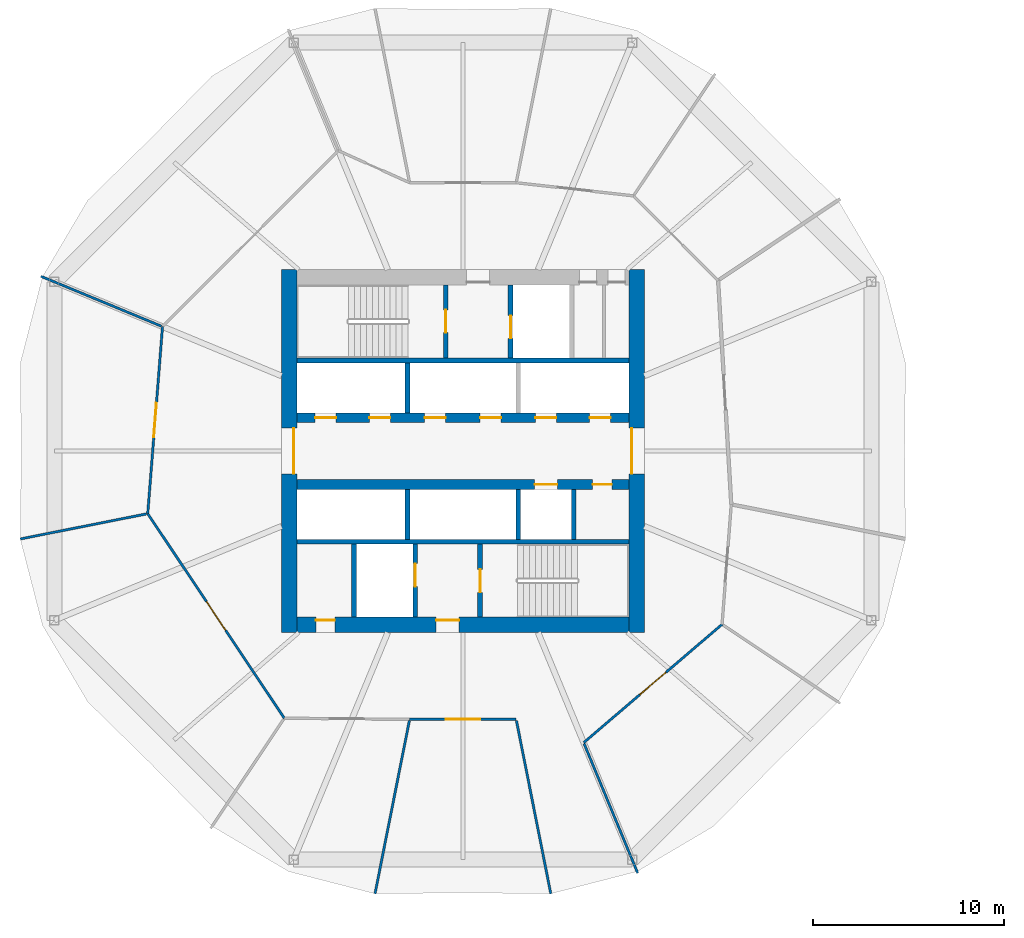
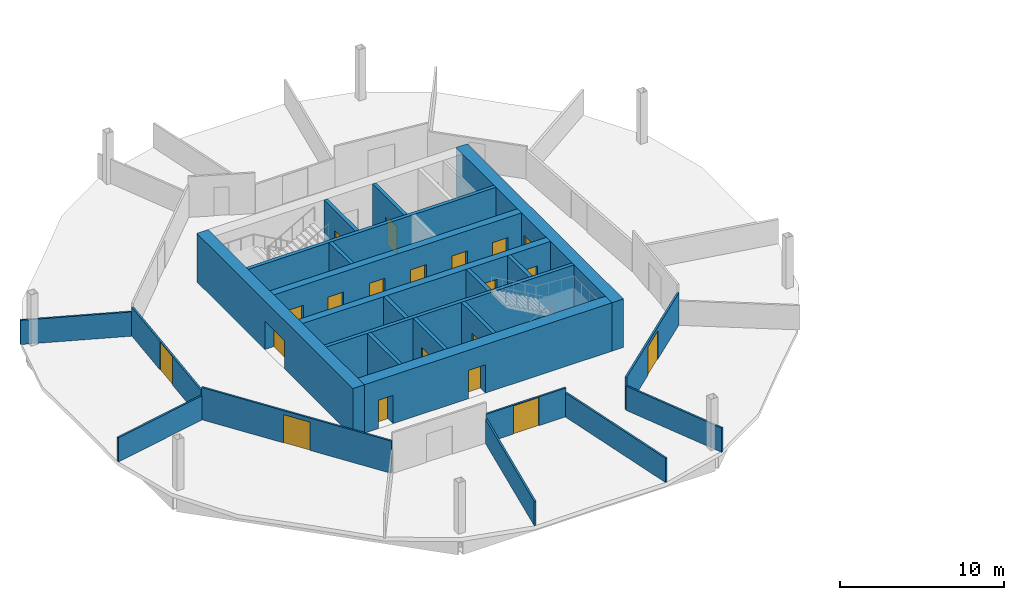
# One storey, part 4 of 9: 25 walls, 20 doors, 20 openings.
"""IFC4 building model written with IfcOpenShell, lengths in metres."""

from ifc_helpers import new_model, si_unit, direction, frame, frame_2d, origin, place, context, subcontext, project, spatial, rectangle, extrude, material, layer, layer_set, type_object, element, fill, save


model = new_model("IFC4")

# Units and contexts
model_context = context("Model", 3, precision=1e-05, world=origin(), true_north=direction((0.0, 1.0)))
body_context = subcontext(model_context, "Body", "Model", "MODEL_VIEW")
ifc_project = project(units=[si_unit("LENGTHUNIT", "METRE"), si_unit("AREAUNIT", "SQUARE_METRE"), si_unit("VOLUMEUNIT", "CUBIC_METRE"), si_unit("PLANEANGLEUNIT", "RADIAN"), si_unit("MASSUNIT", "GRAM", prefix="KILO")], contexts=[model_context])

# Site, building, storey
site_placement = place(None, origin())
site = spatial("IfcSite", under=ifc_project, at=site_placement, CompositionType="ELEMENT")
building_placement = place(site_placement, origin())
building = spatial("IfcBuilding", under=site, at=building_placement, Name="Ogive Gate Towers", CompositionType="ELEMENT")
storey_placement = place(building_placement, frame((0.0, 0.0, 111.300048828125)))
storey = spatial("IfcBuildingStorey", under=building, at=storey_placement, Name="L26", CompositionType="ELEMENT", Elevation=111.300048828125)

# Wall, openings, doors
ifc_material_1 = material(Name="Concrete C60/75", Category="concrete")
ifc_layer_1 = layer(ifc_material_1, 0.800048828125)
ifc_layer_set_1 = layer_set([ifc_layer_1], Name="Core wall 800 mm")
wall_type_1 = type_object("IfcWallType", Name="Core wall 800 mm", PredefinedType="SHEAR", material=ifc_layer_set_1)
wall_1_placement = place(storey_placement, frame((-44.699951171875, -9.10009765625, 0.0), z_axis=(0.0, 0.0, 1.0), x_axis=(1.0, 0.0, 0.0)))
wall_1 = element("IfcWall", 1, at=wall_1_placement, inside=storey, type_object=wall_type_1, Name="T1 L26 Core wall 800 mm", PredefinedType="SHEAR", context=body_context, shape_type="SweptSolid", body=[
    extrude(rectangle(XDim=17.39990234375, YDim=0.800048828125, at=frame_2d((8.699951171875, 0.0))), origin(), (0.0, 0.0, 1.0), 3.599853515625),
])
opening_1_placement = place(wall_1_placement, frame((7.300048828125, 0.0, 0.0)))
opening_1 = element("IfcOpeningElement", 2, at=opening_1_placement, cuts=wall_1, Name="Opening KD-T1-L26-16", PredefinedType="OPENING", context=body_context, shape_type="SweptSolid", body=[
    extrude(rectangle(XDim=1.199951171875, YDim=2.10009765625, at=frame_2d((0.60009765625, 1.050048828125))), frame((0.0, 0.41015625, 0.0), z_axis=(0.0, -1.0, 0.0), x_axis=(1.0, 0.0, 0.0)), (0.0, 0.0, 1.0), 0.820068359375),
])
opening_2_placement = place(wall_1_placement, frame((1.0, 0.0, 0.0)))
opening_2 = element("IfcOpeningElement", 3, at=opening_2_placement, cuts=wall_1, Name="Opening KD-T1-L26-19", PredefinedType="OPENING", context=body_context, shape_type="SweptSolid", body=[
    extrude(rectangle(XDim=1.0, YDim=2.10009765625, at=frame_2d((0.5, 1.050048828125))), frame((0.0, 0.41015625, 0.0), z_axis=(0.0, -1.0, 0.0), x_axis=(1.0, 0.0, 0.0)), (0.0, 0.0, 1.0), 0.820068359375),
])
ifc_material_2 = material(Name="Timber door", Category="wood")
door_type_1 = type_object("IfcDoorType", Name="Accessible WC door 1000 x 2100", OperationType="NOTDEFINED", PredefinedType="DOOR", material=ifc_material_2)
door_1_placement = place(opening_2_placement, origin())
door_1 = element("IfcDoor", 4, at=door_1_placement, inside=storey, type_object=door_type_1, Name="T1 L26 Core door", OperationType="SINGLE_SWING_RIGHT", OverallHeight=2.10009765625, OverallWidth=1.0, PredefinedType="DOOR", context=body_context, shape_type="SweptSolid", body=[
    extrude(rectangle(XDim=1.0, YDim=2.10009765625, at=frame_2d((0.5, 1.050048828125))), frame((0.0, 0.27490234375, 0.0), z_axis=(0.0, -1.0, 0.0), x_axis=(1.0, 0.0, 0.0)), (0.0, 0.0, 1.0), 0.050048828125),
])
fill(opening_2, door_1)
ifc_material_3 = material(Name="Steel fire door", Category="steel")
door_type_2 = type_object("IfcDoorType", Name="Core door FD60S 1200 x 2100", OperationType="NOTDEFINED", PredefinedType="DOOR", material=ifc_material_3)
door_2_placement = place(opening_1_placement, origin())
door_2 = element("IfcDoor", 5, at=door_2_placement, inside=storey, type_object=door_type_2, Name="T1 L26 Fire-fighting lobby door", OperationType="SINGLE_SWING_LEFT", OverallHeight=2.10009765625, OverallWidth=1.199951171875, PredefinedType="DOOR", context=body_context, shape_type="SweptSolid", body=[
    extrude(rectangle(XDim=1.199951171875, YDim=2.10009765625, at=frame_2d((0.60009765625, 1.050048828125))), frame((0.0, 0.27490234375, 0.0), z_axis=(0.0, -1.0, 0.0), x_axis=(1.0, 0.0, 0.0)), (0.0, 0.0, 1.0), 0.050048828125),
])
fill(opening_1, door_2)

# Wall, opening, door
wall_2_placement = place(storey_placement, frame((-45.10009765625, -9.5, 0.0), z_axis=(0.0, 0.0, 1.0), x_axis=(0.0, 1.0, 0.0)))
wall_2 = element("IfcWall", 6, at=wall_2_placement, inside=storey, type_object=wall_type_1, Name="T1 L26 Core wall 800 mm", PredefinedType="SHEAR", context=body_context, shape_type="SweptSolid", body=[
    extrude(rectangle(XDim=19.0, YDim=0.800048828125, at=frame_2d((9.5, 0.0))), origin(), (0.0, 0.0, 1.0), 3.599853515625),
])
opening_3_placement = place(wall_2_placement, frame((8.300048828125, 0.0, 0.0)))
opening_3 = element("IfcOpeningElement", 7, at=opening_3_placement, cuts=wall_2, Name="Opening KD-T1-L26-01", PredefinedType="OPENING", context=body_context, shape_type="SweptSolid", body=[
    extrude(rectangle(XDim=2.39990234375, YDim=2.10009765625, at=frame_2d((1.199951171875, 1.050048828125))), frame((0.0, 0.41015625, 0.0), z_axis=(0.0, -1.0, 0.0), x_axis=(1.0, 0.0, 0.0)), (0.0, 0.0, 1.0), 0.820068359375),
])
door_type_3 = type_object("IfcDoorType", Name="Core double door FD60S 2400 x 2100", OperationType="DOUBLE_DOOR_SINGLE_SWING", PredefinedType="DOOR", material=ifc_material_3)
door_3_placement = place(opening_3_placement, origin())
door_3 = element("IfcDoor", 8, at=door_3_placement, inside=storey, type_object=door_type_3, Name="T1 L26 Core door double", OperationType="DOUBLE_DOOR_SINGLE_SWING", OverallHeight=2.10009765625, OverallWidth=2.39990234375, PredefinedType="DOOR", context=body_context, shape_type="SweptSolid", body=[
    extrude(rectangle(XDim=2.39990234375, YDim=2.10009765625, at=frame_2d((1.199951171875, 1.050048828125))), frame((0.0, -0.22509765625, 0.0), z_axis=(0.0, -1.0, 0.0), x_axis=(1.0, 0.0, 0.0)), (0.0, 0.0, 1.0), 0.050048828125),
])
fill(opening_3, door_3)

wall_3_placement = place(storey_placement, frame((-26.89990234375, -9.5, 0.0), z_axis=(0.0, 0.0, 1.0), x_axis=(0.0, 1.0, 0.0)))
wall_3 = element("IfcWall", 9, at=wall_3_placement, inside=storey, type_object=wall_type_1, Name="T1 L26 Core wall 800 mm", PredefinedType="SHEAR", context=body_context, shape_type="SweptSolid", body=[
    extrude(rectangle(XDim=19.0, YDim=0.800048828125, at=frame_2d((9.5, 0.0))), origin(), (0.0, 0.0, 1.0), 3.599853515625),
])
opening_4_placement = place(wall_3_placement, frame((8.300048828125, 0.0, 0.0)))
opening_4 = element("IfcOpeningElement", 10, at=opening_4_placement, cuts=wall_3, Name="Opening KD-T1-L26-02", PredefinedType="OPENING", context=body_context, shape_type="SweptSolid", body=[
    extrude(rectangle(XDim=2.39990234375, YDim=2.10009765625, at=frame_2d((1.199951171875, 1.050048828125))), frame((0.0, 0.41015625, 0.0), z_axis=(0.0, -1.0, 0.0), x_axis=(1.0, 0.0, 0.0)), (0.0, 0.0, 1.0), 0.820068359375),
])
door_4_placement = place(opening_4_placement, origin())
door_4 = element("IfcDoor", 11, at=door_4_placement, inside=storey, type_object=door_type_3, Name="T1 L26 Core door double", OperationType="DOUBLE_DOOR_SINGLE_SWING", OverallHeight=2.10009765625, OverallWidth=2.39990234375, PredefinedType="DOOR", context=body_context, shape_type="SweptSolid", body=[
    extrude(rectangle(XDim=2.39990234375, YDim=2.10009765625, at=frame_2d((1.199951171875, 1.050048828125))), frame((0.0, 0.27490234375, 0.0), z_axis=(0.0, -1.0, 0.0), x_axis=(1.0, 0.0, 0.0)), (0.0, 0.0, 1.0), 0.050048828125),
])
fill(opening_4, door_4)

# Walls
ifc_material_4 = material(Name="Gypsum board partition")
ifc_layer_2 = layer(ifc_material_4, 0.125)
ifc_layer_set_2 = layer_set([ifc_layer_2], Name="Partition 125")
wall_type_2 = type_object("IfcWallType", Name="Partition 125", PredefinedType="PARTITIONING", material=ifc_layer_set_2)
wall_4_placement = place(storey_placement, frame((-58.103515625, 9.155517578125, 0.0), z_axis=(0.0, 0.0, 1.0), x_axis=(0.923890080422, -0.382657966464, 0.0)))
element("IfcWall", 12, at=wall_4_placement, inside=storey, type_object=wall_type_2, Name="Partition T1-L26-006", PredefinedType="PARTITIONING", context=body_context, shape_type="SweptSolid", body=[
    extrude(rectangle(XDim=6.831298828125, YDim=0.125, at=frame_2d((3.41552734375, 0.0))), origin(), (0.0, 0.0, 1.0), 1.800048828125),
])
wall_5_placement = place(storey_placement, frame((-59.186767578125, -4.6044921875, 0.0), z_axis=(0.0, 0.0, 1.0), x_axis=(0.980842853363, 0.194800659668, 0.0)))
element("IfcWall", 13, at=wall_5_placement, inside=storey, type_object=wall_type_2, Name="Partition T1-L26-007", PredefinedType="PARTITIONING", context=body_context, shape_type="SweptSolid", body=[
    extrude(rectangle(XDim=6.746337890625, YDim=0.125, at=frame_2d((3.373046875, 0.0))), origin(), (0.0, 0.0, 1.0), 1.800048828125),
])
for number, where, z_axis, x_axis, name in (
    (14, (-40.6044921875, -23.186767578125, 0.0), (0.0, 0.0, 1.0), (0.194780532368, 0.980846850538, 0.0), "Partition T1-L26-009"),
    (15, (-31.3955078125, -23.186767578125, 0.0), (0.0, 0.0, 1.0), (-0.194780532368, 0.980846850538, 0.0), "Partition T1-L26-010"),
):
    element("IfcWall", number, at=place(storey_placement, frame(where, z_axis=z_axis, x_axis=x_axis)), inside=storey, type_object=wall_type_2, Name=name, PredefinedType="PARTITIONING", context=body_context, shape_type="SweptSolid", body=[
        extrude(rectangle(XDim=9.246337890625, YDim=0.125, at=frame_2d((4.623046875, 0.0))), origin(), (0.0, 0.0, 1.0), 1.800048828125),
    ])
wall_6_placement = place(storey_placement, frame((-26.844482421875, -22.103515625, 0.0), z_axis=(0.0, 0.0, 1.0), x_axis=(-0.382668456464, 0.923885735591, 0.0)))
element("IfcWall", 16, at=wall_6_placement, inside=storey, type_object=wall_type_2, Name="Partition T1-L26-011", PredefinedType="PARTITIONING", context=body_context, shape_type="SweptSolid", body=[
    extrude(rectangle(XDim=7.331298828125, YDim=0.125, at=frame_2d((3.66552734375, 0.0))), origin(), (0.0, 0.0, 1.0), 1.800048828125),
])

# Wall, opening, door
wall_7_placement = place(storey_placement, frame((-29.673828125, -15.272705078125, 0.0), z_axis=(0.0, 0.0, 1.0), x_axis=(0.760193742691, 0.649696447253, 0.0)))
wall_7 = element("IfcWall", 17, at=wall_7_placement, inside=storey, type_object=wall_type_2, Name="Partition T1-L26-014", PredefinedType="PARTITIONING", context=body_context, shape_type="SweptSolid", body=[
    extrude(rectangle(XDim=9.5361328125, YDim=0.125, at=frame_2d((4.76806640625, 0.0))), origin(), (0.0, 0.0, 1.0), 2.39990234375),
])
opening_5_placement = place(wall_7_placement, frame((3.867919921875, 0.0, 0.0)))
opening_5 = element("IfcOpeningElement", 18, at=opening_5_placement, cuts=wall_7, Name="Opening T1-L26-D01", PredefinedType="OPENING", context=body_context, shape_type="SweptSolid", body=[
    extrude(rectangle(XDim=1.800048828125, YDim=2.10009765625, at=frame_2d((0.89990234375, 1.050048828125))), frame((0.0, 0.072509765625, 0.0), z_axis=(0.0, -1.0, 0.0), x_axis=(1.0, 0.0, 0.0)), (0.0, 0.0, 1.0), 0.14501953125),
])
door_type_4 = type_object("IfcDoorType", Name="Door pair 1800", OperationType="NOTDEFINED", PredefinedType="DOOR", material=ifc_material_2)
door_5_placement = place(opening_5_placement, origin())
door_5 = element("IfcDoor", 19, at=door_5_placement, inside=storey, type_object=door_type_4, Name="Door T1-L26-D01", OperationType="DOUBLE_DOOR_DOUBLE_SWING", OverallHeight=2.10009765625, OverallWidth=1.800048828125, PredefinedType="DOOR", context=body_context, shape_type="SweptSolid", body=[
    extrude(rectangle(XDim=1.800048828125, YDim=2.10009765625, at=frame_2d((0.89990234375, 1.050048828125))), frame((0.0, 0.02490234375, 0.0), z_axis=(0.0, -1.0, 0.0), x_axis=(1.0, 0.0, 0.0)), (0.0, 0.0, 1.0), 0.050048828125),
])
fill(opening_5, door_5)

wall_8_placement = place(storey_placement, frame((-51.734619140625, 6.517578125, 0.0), z_axis=(0.0, 0.0, 1.0), x_axis=(-0.078734974161, -0.99689558322, 0.0)))
wall_8 = element("IfcWall", 20, at=wall_8_placement, inside=storey, type_object=wall_type_2, Name="Partition T1-L26-022", PredefinedType="PARTITIONING", context=body_context, shape_type="SweptSolid", body=[
    extrude(rectangle(XDim=9.826416015625, YDim=0.125, at=frame_2d((4.9130859375, 0.0))), origin(), (0.0, 0.0, 1.0), 2.139892578125),
])
opening_6_placement = place(wall_8_placement, frame((4.012939453125, 0.0, 0.0)))
opening_6 = element("IfcOpeningElement", 21, at=opening_6_placement, cuts=wall_8, Name="Opening T1-L26-D09", PredefinedType="OPENING", context=body_context, shape_type="SweptSolid", body=[
    extrude(rectangle(XDim=1.800048828125, YDim=2.10009765625, at=frame_2d((0.89990234375, 1.050048828125))), frame((0.0, 0.072509765625, 0.0), z_axis=(0.0, -1.0, 0.0), x_axis=(1.0, 0.0, 0.0)), (0.0, 0.0, 1.0), 0.14501953125),
])
door_6_placement = place(opening_6_placement, origin())
door_6 = element("IfcDoor", 22, at=door_6_placement, inside=storey, type_object=door_type_4, Name="Door T1-L26-D09", OperationType="DOUBLE_DOOR_DOUBLE_SWING", OverallHeight=2.10009765625, OverallWidth=1.800048828125, PredefinedType="DOOR", context=body_context, shape_type="SweptSolid", body=[
    extrude(rectangle(XDim=1.800048828125, YDim=2.10009765625, at=frame_2d((0.89990234375, 1.050048828125))), frame((0.0, 0.02490234375, 0.0), z_axis=(0.0, -1.0, 0.0), x_axis=(1.0, 0.0, 0.0)), (0.0, 0.0, 1.0), 0.050048828125),
])
fill(opening_6, door_6)

wall_9_placement = place(storey_placement, frame((-52.50830078125, -3.2783203125, 0.0), z_axis=(0.0, 0.0, 1.0), x_axis=(0.555312362094, -0.831641858317, 0.0)))
wall_9 = element("IfcWall", 23, at=wall_9_placement, inside=storey, type_object=wall_type_2, Name="Partition T1-L26-023", PredefinedType="PARTITIONING", context=body_context, shape_type="SweptSolid", body=[
    extrude(rectangle(XDim=12.881591796875, YDim=0.125, at=frame_2d((6.44091796875, 0.0))), origin(), (0.0, 0.0, 1.0), 2.39990234375),
])
opening_7_placement = place(wall_9_placement, frame((5.541015625, 0.0, 0.0)))
opening_7 = element("IfcOpeningElement", 24, at=opening_7_placement, cuts=wall_9, Name="Opening T1-L26-D10", PredefinedType="OPENING", context=body_context, shape_type="SweptSolid", body=[
    extrude(rectangle(XDim=1.800048828125, YDim=2.10009765625, at=frame_2d((0.89990234375, 1.050048828125))), frame((0.0, 0.072509765625, 0.0), z_axis=(0.0, -1.0, 0.0), x_axis=(1.0, 0.0, 0.0)), (0.0, 0.0, 1.0), 0.14501953125),
])
door_7_placement = place(opening_7_placement, origin())
door_7 = element("IfcDoor", 25, at=door_7_placement, inside=storey, type_object=door_type_4, Name="Door T1-L26-D10", OperationType="DOUBLE_DOOR_DOUBLE_SWING", OverallHeight=2.10009765625, OverallWidth=1.800048828125, PredefinedType="DOOR", context=body_context, shape_type="SweptSolid", body=[
    extrude(rectangle(XDim=1.800048828125, YDim=2.10009765625, at=frame_2d((0.89990234375, 1.050048828125))), frame((0.0, 0.02490234375, 0.0), z_axis=(0.0, -1.0, 0.0), x_axis=(1.0, 0.0, 0.0)), (0.0, 0.0, 1.0), 0.050048828125),
])
fill(opening_7, door_7)

wall_10_placement = place(storey_placement, frame((-38.791259765625, -14.05615234375, 0.0), z_axis=(0.0, 0.0, 1.0), x_axis=(1.0, 0.0, 0.0)))
wall_10 = element("IfcWall", 26, at=wall_10_placement, inside=storey, type_object=wall_type_2, Name="Partition T1-L26-025", PredefinedType="PARTITIONING", context=body_context, shape_type="SweptSolid", body=[
    extrude(rectangle(XDim=5.58251953125, YDim=0.125, at=frame_2d((2.791259765625, 0.0))), origin(), (0.0, 0.0, 1.0), 2.139892578125),
])
opening_8_placement = place(wall_10_placement, frame((1.89111328125, 0.0, 0.0)))
opening_8 = element("IfcOpeningElement", 27, at=opening_8_placement, cuts=wall_10, Name="Opening T1-L26-D12", PredefinedType="OPENING", context=body_context, shape_type="SweptSolid", body=[
    extrude(rectangle(XDim=1.800048828125, YDim=2.10009765625, at=frame_2d((0.89990234375, 1.050048828125))), frame((0.0, 0.072509765625, 0.0), z_axis=(0.0, -1.0, 0.0), x_axis=(1.0, 0.0, 0.0)), (0.0, 0.0, 1.0), 0.14501953125),
])
door_8_placement = place(opening_8_placement, origin())
door_8 = element("IfcDoor", 28, at=door_8_placement, inside=storey, type_object=door_type_4, Name="Door T1-L26-D12", OperationType="DOUBLE_DOOR_DOUBLE_SWING", OverallHeight=2.10009765625, OverallWidth=1.800048828125, PredefinedType="DOOR", context=body_context, shape_type="SweptSolid", body=[
    extrude(rectangle(XDim=1.800048828125, YDim=2.10009765625, at=frame_2d((0.89990234375, 1.050048828125))), frame((0.0, 0.02490234375, 0.0), z_axis=(0.0, -1.0, 0.0), x_axis=(1.0, 0.0, 0.0)), (0.0, 0.0, 1.0), 0.050048828125),
])
fill(opening_8, door_8)

# Walls
ifc_layer_3 = layer(ifc_material_1, 0.25)
ifc_layer_set_3 = layer_set([ifc_layer_3], Name="Shaft wall 250 mm")
wall_type_3 = type_object("IfcWallType", Name="Shaft wall 250 mm", PredefinedType="SHEAR", material=ifc_layer_set_3)
for number, where, z_axis, x_axis, name in (
    (29, (-44.699951171875, -4.75, 0.0), (0.0, 0.0, 1.0), (1.0, 0.0, 0.0), "T1 L26 Shaft wall 250 mm"),
    (30, (-44.699951171875, 4.75, 0.0), (0.0, 0.0, 1.0), (1.0, 0.0, 0.0), "T1 L26 Shaft wall 250 mm"),
):
    element("IfcWall", number, at=place(storey_placement, frame(where, z_axis=z_axis, x_axis=x_axis)), inside=storey, type_object=wall_type_3, Name=name, PredefinedType="SHEAR", context=body_context, shape_type="SweptSolid", body=[
        extrude(rectangle(XDim=17.39990234375, YDim=0.25, at=frame_2d((8.699951171875, 0.0))), origin(), (0.0, 0.0, 1.0), 3.599853515625),
    ])
wall_11_placement = place(storey_placement, frame((-41.699951171875, -8.699951171875, 0.0), z_axis=(0.0, 0.0, 1.0), x_axis=(0.0, 1.0, 0.0)))
element("IfcWall", 31, at=wall_11_placement, inside=storey, type_object=wall_type_3, Name="T1 L26 Shaft wall 250 mm", PredefinedType="SHEAR", context=body_context, shape_type="SweptSolid", body=[
    extrude(rectangle(XDim=3.824951171875, YDim=0.25, at=frame_2d((1.91259765625, 0.0))), origin(), (0.0, 0.0, 1.0), 3.599853515625),
])
for number, where, z_axis, x_axis, name in (
    (32, (-38.89990234375, -4.625, 0.0), (0.0, 0.0, 1.0), (0.0, 1.0, 0.0), "T1 L26 Shaft wall 250 mm"),
    (33, (-38.89990234375, 2.0, 0.0), (0.0, 0.0, 1.0), (0.0, 1.0, 0.0), "T1 L26 Shaft wall 250 mm"),
):
    element("IfcWall", number, at=place(storey_placement, frame(where, z_axis=z_axis, x_axis=x_axis)), inside=storey, type_object=wall_type_3, Name=name, PredefinedType="SHEAR", context=body_context, shape_type="SweptSolid", body=[
        extrude(rectangle(XDim=2.625, YDim=0.25, at=frame_2d((1.3125, 0.0))), origin(), (0.0, 0.0, 1.0), 3.599853515625),
    ])

# Wall, opening, door
wall_12_placement = place(storey_placement, frame((-38.5, -8.699951171875, 0.0), z_axis=(0.0, 0.0, 1.0), x_axis=(0.0, 1.0, 0.0)))
wall_12 = element("IfcWall", 34, at=wall_12_placement, inside=storey, type_object=wall_type_3, Name="T1 L26 Shaft wall 250 mm", PredefinedType="SHEAR", context=body_context, shape_type="SweptSolid", body=[
    extrude(rectangle(XDim=3.824951171875, YDim=0.25, at=frame_2d((1.91259765625, 0.0))), origin(), (0.0, 0.0, 1.0), 3.599853515625),
])
opening_9_placement = place(wall_12_placement, frame((1.60009765625, 0.0, 0.0)))
opening_9 = element("IfcOpeningElement", 35, at=opening_9_placement, cuts=wall_12, Name="Opening LD-T1-L26-11", PredefinedType="OPENING", context=body_context, shape_type="SweptSolid", body=[
    extrude(rectangle(XDim=1.199951171875, YDim=2.10009765625, at=frame_2d((0.60009765625, 1.050048828125))), frame((0.0, 0.135009765625, 0.0), z_axis=(0.0, -1.0, 0.0), x_axis=(1.0, 0.0, 0.0)), (0.0, 0.0, 1.0), 0.27001953125),
])
ifc_material_5 = material(Name="Stainless steel landing door", Category="steel")
door_type_5 = type_object("IfcDoorType", Name="Landing door 1200 x 2100", OperationType="SLIDING_TO_LEFT", PredefinedType="DOOR", material=ifc_material_5)
door_9_placement = place(opening_9_placement, origin())
door_9 = element("IfcDoor", 36, at=door_9_placement, inside=storey, type_object=door_type_5, Name="T1 L26 Lift landing door FF2", OperationType="SLIDING_TO_LEFT", OverallHeight=2.10009765625, OverallWidth=1.199951171875, PredefinedType="DOOR", context=body_context, shape_type="SweptSolid", body=[
    extrude(rectangle(XDim=1.199951171875, YDim=2.10009765625, at=frame_2d((0.60009765625, 1.050048828125))), frame((0.0, 0.02490234375, 0.0), z_axis=(0.0, -1.0, 0.0), x_axis=(1.0, 0.0, 0.0)), (0.0, 0.0, 1.0), 0.050048828125),
])
fill(opening_9, door_9)

wall_13_placement = place(storey_placement, frame((-36.89990234375, 4.875, 0.0), z_axis=(0.0, 0.0, 1.0), x_axis=(0.0, 1.0, 0.0)))
wall_13 = element("IfcWall", 37, at=wall_13_placement, inside=storey, type_object=wall_type_3, Name="T1 L26 Shaft wall 250 mm", PredefinedType="SHEAR", context=body_context, shape_type="SweptSolid", body=[
    extrude(rectangle(XDim=3.824951171875, YDim=0.25, at=frame_2d((1.91259765625, 0.0))), origin(), (0.0, 0.0, 1.0), 3.599853515625),
])
opening_10_placement = place(wall_13_placement, frame((1.324951171875, 0.0, 0.0)))
opening_10 = element("IfcOpeningElement", 38, at=opening_10_placement, cuts=wall_13, Name="Opening KD-T1-L26-13", PredefinedType="OPENING", context=body_context, shape_type="SweptSolid", body=[
    extrude(rectangle(XDim=1.199951171875, YDim=2.10009765625, at=frame_2d((0.60009765625, 1.050048828125))), frame((0.0, 0.135009765625, 0.0), z_axis=(0.0, -1.0, 0.0), x_axis=(1.0, 0.0, 0.0)), (0.0, 0.0, 1.0), 0.27001953125),
])
door_10_placement = place(opening_10_placement, origin())
door_10 = element("IfcDoor", 39, at=door_10_placement, inside=storey, type_object=door_type_2, Name="T1 L26 Stair door", OperationType="SINGLE_SWING_RIGHT", OverallHeight=2.10009765625, OverallWidth=1.199951171875, PredefinedType="DOOR", context=body_context, shape_type="SweptSolid", body=[
    extrude(rectangle(XDim=1.199951171875, YDim=2.10009765625, at=frame_2d((0.60009765625, 1.050048828125))), frame((0.0, 0.02490234375, 0.0), z_axis=(0.0, -1.0, 0.0), x_axis=(1.0, 0.0, 0.0)), (0.0, 0.0, 1.0), 0.050048828125),
])
fill(opening_10, door_10)

wall_14_placement = place(storey_placement, frame((-35.10009765625, -8.699951171875, 0.0), z_axis=(0.0, 0.0, 1.0), x_axis=(0.0, 1.0, 0.0)))
wall_14 = element("IfcWall", 40, at=wall_14_placement, inside=storey, type_object=wall_type_3, Name="T1 L26 Shaft wall 250 mm", PredefinedType="SHEAR", context=body_context, shape_type="SweptSolid", body=[
    extrude(rectangle(XDim=3.824951171875, YDim=0.25, at=frame_2d((1.91259765625, 0.0))), origin(), (0.0, 0.0, 1.0), 3.599853515625),
])
opening_11_placement = place(wall_14_placement, frame((1.300048828125, 0.0, 0.0)))
opening_11 = element("IfcOpeningElement", 41, at=opening_11_placement, cuts=wall_14, Name="Opening KD-T1-L26-14", PredefinedType="OPENING", context=body_context, shape_type="SweptSolid", body=[
    extrude(rectangle(XDim=1.199951171875, YDim=2.10009765625, at=frame_2d((0.60009765625, 1.050048828125))), frame((0.0, 0.135009765625, 0.0), z_axis=(0.0, -1.0, 0.0), x_axis=(1.0, 0.0, 0.0)), (0.0, 0.0, 1.0), 0.27001953125),
])
door_11_placement = place(opening_11_placement, origin())
door_11 = element("IfcDoor", 42, at=door_11_placement, inside=storey, type_object=door_type_2, Name="T1 L26 Stair door", OperationType="SINGLE_SWING_LEFT", OverallHeight=2.10009765625, OverallWidth=1.199951171875, PredefinedType="DOOR", context=body_context, shape_type="SweptSolid", body=[
    extrude(rectangle(XDim=1.199951171875, YDim=2.10009765625, at=frame_2d((0.60009765625, 1.050048828125))), frame((0.0, 0.02490234375, 0.0), z_axis=(0.0, -1.0, 0.0), x_axis=(1.0, 0.0, 0.0)), (0.0, 0.0, 1.0), 0.050048828125),
])
fill(opening_11, door_11)

wall_15_placement = place(storey_placement, frame((-33.5, 4.875, 0.0), z_axis=(0.0, 0.0, 1.0), x_axis=(0.0, 1.0, 0.0)))
wall_15 = element("IfcWall", 43, at=wall_15_placement, inside=storey, type_object=wall_type_3, Name="T1 L26 Shaft wall 250 mm", PredefinedType="SHEAR", context=body_context, shape_type="SweptSolid", body=[
    extrude(rectangle(XDim=3.824951171875, YDim=0.25, at=frame_2d((1.91259765625, 0.0))), origin(), (0.0, 0.0, 1.0), 3.599853515625),
])
opening_12_placement = place(wall_15_placement, frame((1.02490234375, 0.0, 0.0)))
opening_12 = element("IfcOpeningElement", 44, at=opening_12_placement, cuts=wall_15, Name="Opening LD-T1-L26-10", PredefinedType="OPENING", context=body_context, shape_type="SweptSolid", body=[
    extrude(rectangle(XDim=1.199951171875, YDim=2.10009765625, at=frame_2d((0.60009765625, 1.050048828125))), frame((0.0, 0.135009765625, 0.0), z_axis=(0.0, -1.0, 0.0), x_axis=(1.0, 0.0, 0.0)), (0.0, 0.0, 1.0), 0.27001953125),
])
door_12_placement = place(opening_12_placement, origin())
door_12 = element("IfcDoor", 45, at=door_12_placement, inside=storey, type_object=door_type_5, Name="T1 L26 Lift landing door FF1", OperationType="SLIDING_TO_LEFT", OverallHeight=2.10009765625, OverallWidth=1.199951171875, PredefinedType="DOOR", context=body_context, shape_type="SweptSolid", body=[
    extrude(rectangle(XDim=1.199951171875, YDim=2.10009765625, at=frame_2d((0.60009765625, 1.050048828125))), frame((0.0, 0.02490234375, 0.0), z_axis=(0.0, -1.0, 0.0), x_axis=(1.0, 0.0, 0.0)), (0.0, 0.0, 1.0), 0.050048828125),
])
fill(opening_12, door_12)

# Walls
for number, where, z_axis, x_axis, name in (
    (46, (-33.10009765625, -4.625, 0.0), (0.0, 0.0, 1.0), (0.0, 1.0, 0.0), "T1 L26 Shaft wall 250 mm"),
    (47, (-30.199951171875, -4.625, 0.0), (0.0, 0.0, 1.0), (0.0, 1.0, 0.0), "T1 L26 Shaft wall 250 mm"),
):
    element("IfcWall", number, at=place(storey_placement, frame(where, z_axis=z_axis, x_axis=x_axis)), inside=storey, type_object=wall_type_3, Name=name, PredefinedType="SHEAR", context=body_context, shape_type="SweptSolid", body=[
        extrude(rectangle(XDim=2.625, YDim=0.25, at=frame_2d((1.3125, 0.0))), origin(), (0.0, 0.0, 1.0), 3.599853515625),
    ])

# Wall, openings, doors
ifc_layer_4 = layer(ifc_material_1, 0.5)
ifc_layer_set_4 = layer_set([ifc_layer_4], Name="Spine wall 500 mm")
wall_type_4 = type_object("IfcWallType", Name="Spine wall 500 mm", PredefinedType="SHEAR", material=ifc_layer_set_4)
wall_16_placement = place(storey_placement, frame((-44.699951171875, -1.75, 0.0), z_axis=(0.0, 0.0, 1.0), x_axis=(1.0, 0.0, 0.0)))
wall_16 = element("IfcWall", 48, at=wall_16_placement, inside=storey, type_object=wall_type_4, Name="T1 L26 Spine wall 500 mm", PredefinedType="SHEAR", context=body_context, shape_type="SweptSolid", body=[
    extrude(rectangle(XDim=17.39990234375, YDim=0.5, at=frame_2d((8.699951171875, 0.0))), origin(), (0.0, 0.0, 1.0), 3.599853515625),
])
opening_13_placement = place(wall_16_placement, frame((12.449951171875, 0.0, 0.0)))
opening_13 = element("IfcOpeningElement", 49, at=opening_13_placement, cuts=wall_16, Name="Opening LD-T1-L26-09", PredefinedType="OPENING", context=body_context, shape_type="SweptSolid", body=[
    extrude(rectangle(XDim=1.199951171875, YDim=2.10009765625, at=frame_2d((0.60009765625, 1.050048828125))), frame((0.0, 0.260009765625, 0.0), z_axis=(0.0, -1.0, 0.0), x_axis=(1.0, 0.0, 0.0)), (0.0, 0.0, 1.0), 0.52001953125),
])
opening_14_placement = place(wall_16_placement, frame((15.5, 0.0, 0.0)))
opening_14 = element("IfcOpeningElement", 50, at=opening_14_placement, cuts=wall_16, Name="Opening KD-T1-L26-12", PredefinedType="OPENING", context=body_context, shape_type="SweptSolid", body=[
    extrude(rectangle(XDim=1.0, YDim=2.10009765625, at=frame_2d((0.5, 1.050048828125))), frame((0.0, 0.260009765625, 0.0), z_axis=(0.0, -1.0, 0.0), x_axis=(1.0, 0.0, 0.0)), (0.0, 0.0, 1.0), 0.52001953125),
])
door_type_6 = type_object("IfcDoorType", Name="Core door FD60S 1000 x 2100", OperationType="NOTDEFINED", PredefinedType="DOOR", material=ifc_material_3)
door_13_placement = place(opening_14_placement, origin())
door_13 = element("IfcDoor", 51, at=door_13_placement, inside=storey, type_object=door_type_6, Name="T1 L26 Core door", OperationType="SINGLE_SWING_LEFT", OverallHeight=2.10009765625, OverallWidth=1.0, PredefinedType="DOOR", context=body_context, shape_type="SweptSolid", body=[
    extrude(rectangle(XDim=1.0, YDim=2.10009765625, at=frame_2d((0.5, 1.050048828125))), frame((0.0, 0.02490234375, 0.0), z_axis=(0.0, -1.0, 0.0), x_axis=(1.0, 0.0, 0.0)), (0.0, 0.0, 1.0), 0.050048828125),
])
fill(opening_14, door_13)
door_14_placement = place(opening_13_placement, origin())
door_14 = element("IfcDoor", 52, at=door_14_placement, inside=storey, type_object=door_type_5, Name="T1 L26 Lift landing door SVC", OperationType="SLIDING_TO_LEFT", OverallHeight=2.10009765625, OverallWidth=1.199951171875, PredefinedType="DOOR", context=body_context, shape_type="SweptSolid", body=[
    extrude(rectangle(XDim=1.199951171875, YDim=2.10009765625, at=frame_2d((0.60009765625, 1.050048828125))), frame((0.0, 0.02490234375, 0.0), z_axis=(0.0, -1.0, 0.0), x_axis=(1.0, 0.0, 0.0)), (0.0, 0.0, 1.0), 0.050048828125),
])
fill(opening_13, door_14)

wall_17_placement = place(storey_placement, frame((-44.699951171875, 1.75, 0.0), z_axis=(0.0, 0.0, 1.0), x_axis=(1.0, 0.0, 0.0)))
wall_17 = element("IfcWall", 53, at=wall_17_placement, inside=storey, type_object=wall_type_4, Name="T1 L26 Spine wall 500 mm", PredefinedType="SHEAR", context=body_context, shape_type="SweptSolid", body=[
    extrude(rectangle(XDim=17.39990234375, YDim=0.5, at=frame_2d((8.699951171875, 0.0))), origin(), (0.0, 0.0, 1.0), 3.599853515625),
])
opening_15_placement = place(wall_17_placement, frame((0.96240234375, 0.0, 0.0)))
opening_15 = element("IfcOpeningElement", 54, at=opening_15_placement, cuts=wall_17, Name="Opening LD-T1-L26-03", PredefinedType="OPENING", context=body_context, shape_type="SweptSolid", body=[
    extrude(rectangle(XDim=1.10009765625, YDim=2.10009765625, at=frame_2d((0.550048828125, 1.050048828125))), frame((0.0, 0.260009765625, 0.0), z_axis=(0.0, -1.0, 0.0), x_axis=(1.0, 0.0, 0.0)), (0.0, 0.0, 1.0), 0.52001953125),
])
opening_16_placement = place(wall_17_placement, frame((3.800048828125, 0.0, 0.0)))
opening_16 = element("IfcOpeningElement", 55, at=opening_16_placement, cuts=wall_17, Name="Opening LD-T1-L26-04", PredefinedType="OPENING", context=body_context, shape_type="SweptSolid", body=[
    extrude(rectangle(XDim=1.10009765625, YDim=2.10009765625, at=frame_2d((0.550048828125, 1.050048828125))), frame((0.0, 0.260009765625, 0.0), z_axis=(0.0, -1.0, 0.0), x_axis=(1.0, 0.0, 0.0)), (0.0, 0.0, 1.0), 0.52001953125),
])
opening_17_placement = place(wall_17_placement, frame((6.699951171875, 0.0, 0.0)))
opening_17 = element("IfcOpeningElement", 56, at=opening_17_placement, cuts=wall_17, Name="Opening LD-T1-L26-05", PredefinedType="OPENING", context=body_context, shape_type="SweptSolid", body=[
    extrude(rectangle(XDim=1.10009765625, YDim=2.10009765625, at=frame_2d((0.550048828125, 1.050048828125))), frame((0.0, 0.260009765625, 0.0), z_axis=(0.0, -1.0, 0.0), x_axis=(1.0, 0.0, 0.0)), (0.0, 0.0, 1.0), 0.52001953125),
])
opening_18_placement = place(wall_17_placement, frame((9.60009765625, 0.0, 0.0)))
opening_18 = element("IfcOpeningElement", 57, at=opening_18_placement, cuts=wall_17, Name="Opening LD-T1-L26-06", PredefinedType="OPENING", context=body_context, shape_type="SweptSolid", body=[
    extrude(rectangle(XDim=1.10009765625, YDim=2.10009765625, at=frame_2d((0.550048828125, 1.050048828125))), frame((0.0, 0.260009765625, 0.0), z_axis=(0.0, -1.0, 0.0), x_axis=(1.0, 0.0, 0.0)), (0.0, 0.0, 1.0), 0.52001953125),
])
opening_19_placement = place(wall_17_placement, frame((12.5, 0.0, 0.0)))
opening_19 = element("IfcOpeningElement", 58, at=opening_19_placement, cuts=wall_17, Name="Opening LD-T1-L26-07", PredefinedType="OPENING", context=body_context, shape_type="SweptSolid", body=[
    extrude(rectangle(XDim=1.10009765625, YDim=2.10009765625, at=frame_2d((0.550048828125, 1.050048828125))), frame((0.0, 0.260009765625, 0.0), z_axis=(0.0, -1.0, 0.0), x_axis=(1.0, 0.0, 0.0)), (0.0, 0.0, 1.0), 0.52001953125),
])
opening_20_placement = place(wall_17_placement, frame((15.33740234375, 0.0, 0.0)))
opening_20 = element("IfcOpeningElement", 59, at=opening_20_placement, cuts=wall_17, Name="Opening LD-T1-L26-08", PredefinedType="OPENING", context=body_context, shape_type="SweptSolid", body=[
    extrude(rectangle(XDim=1.10009765625, YDim=2.10009765625, at=frame_2d((0.550048828125, 1.050048828125))), frame((0.0, 0.260009765625, 0.0), z_axis=(0.0, -1.0, 0.0), x_axis=(1.0, 0.0, 0.0)), (0.0, 0.0, 1.0), 0.52001953125),
])
door_type_7 = type_object("IfcDoorType", Name="Landing door 1100 x 2100", OperationType="SLIDING_TO_LEFT", PredefinedType="DOOR", material=ifc_material_5)
door_15_placement = place(opening_15_placement, origin())
door_15 = element("IfcDoor", 60, at=door_15_placement, inside=storey, type_object=door_type_7, Name="T1 L26 Lift landing door A1", OperationType="SLIDING_TO_LEFT", OverallHeight=2.10009765625, OverallWidth=1.10009765625, PredefinedType="DOOR", context=body_context, shape_type="SweptSolid", body=[
    extrude(rectangle(XDim=1.10009765625, YDim=2.10009765625, at=frame_2d((0.550048828125, 1.050048828125))), frame((0.0, 0.02490234375, 0.0), z_axis=(0.0, -1.0, 0.0), x_axis=(1.0, 0.0, 0.0)), (0.0, 0.0, 1.0), 0.050048828125),
])
fill(opening_15, door_15)
door_16_placement = place(opening_16_placement, origin())
door_16 = element("IfcDoor", 61, at=door_16_placement, inside=storey, type_object=door_type_7, Name="T1 L26 Lift landing door A2", OperationType="SLIDING_TO_LEFT", OverallHeight=2.10009765625, OverallWidth=1.10009765625, PredefinedType="DOOR", context=body_context, shape_type="SweptSolid", body=[
    extrude(rectangle(XDim=1.10009765625, YDim=2.10009765625, at=frame_2d((0.550048828125, 1.050048828125))), frame((0.0, 0.02490234375, 0.0), z_axis=(0.0, -1.0, 0.0), x_axis=(1.0, 0.0, 0.0)), (0.0, 0.0, 1.0), 0.050048828125),
])
fill(opening_16, door_16)
door_17_placement = place(opening_17_placement, origin())
door_17 = element("IfcDoor", 62, at=door_17_placement, inside=storey, type_object=door_type_7, Name="T1 L26 Lift landing door A3", OperationType="SLIDING_TO_LEFT", OverallHeight=2.10009765625, OverallWidth=1.10009765625, PredefinedType="DOOR", context=body_context, shape_type="SweptSolid", body=[
    extrude(rectangle(XDim=1.10009765625, YDim=2.10009765625, at=frame_2d((0.550048828125, 1.050048828125))), frame((0.0, 0.02490234375, 0.0), z_axis=(0.0, -1.0, 0.0), x_axis=(1.0, 0.0, 0.0)), (0.0, 0.0, 1.0), 0.050048828125),
])
fill(opening_17, door_17)
door_18_placement = place(opening_18_placement, origin())
door_18 = element("IfcDoor", 63, at=door_18_placement, inside=storey, type_object=door_type_7, Name="T1 L26 Lift landing door A4", OperationType="SLIDING_TO_LEFT", OverallHeight=2.10009765625, OverallWidth=1.10009765625, PredefinedType="DOOR", context=body_context, shape_type="SweptSolid", body=[
    extrude(rectangle(XDim=1.10009765625, YDim=2.10009765625, at=frame_2d((0.550048828125, 1.050048828125))), frame((0.0, 0.02490234375, 0.0), z_axis=(0.0, -1.0, 0.0), x_axis=(1.0, 0.0, 0.0)), (0.0, 0.0, 1.0), 0.050048828125),
])
fill(opening_18, door_18)
door_19_placement = place(opening_19_placement, origin())
door_19 = element("IfcDoor", 64, at=door_19_placement, inside=storey, type_object=door_type_7, Name="T1 L26 Lift landing door A5", OperationType="SLIDING_TO_LEFT", OverallHeight=2.10009765625, OverallWidth=1.10009765625, PredefinedType="DOOR", context=body_context, shape_type="SweptSolid", body=[
    extrude(rectangle(XDim=1.10009765625, YDim=2.10009765625, at=frame_2d((0.550048828125, 1.050048828125))), frame((0.0, 0.02490234375, 0.0), z_axis=(0.0, -1.0, 0.0), x_axis=(1.0, 0.0, 0.0)), (0.0, 0.0, 1.0), 0.050048828125),
])
fill(opening_19, door_19)
door_20_placement = place(opening_20_placement, origin())
door_20 = element("IfcDoor", 65, at=door_20_placement, inside=storey, type_object=door_type_7, Name="T1 L26 Lift landing door A6", OperationType="SLIDING_TO_LEFT", OverallHeight=2.10009765625, OverallWidth=1.10009765625, PredefinedType="DOOR", context=body_context, shape_type="SweptSolid", body=[
    extrude(rectangle(XDim=1.10009765625, YDim=2.10009765625, at=frame_2d((0.550048828125, 1.050048828125))), frame((0.0, 0.02490234375, 0.0), z_axis=(0.0, -1.0, 0.0), x_axis=(1.0, 0.0, 0.0)), (0.0, 0.0, 1.0), 0.050048828125),
])
fill(opening_20, door_20)

save(model, "model.ifc")
